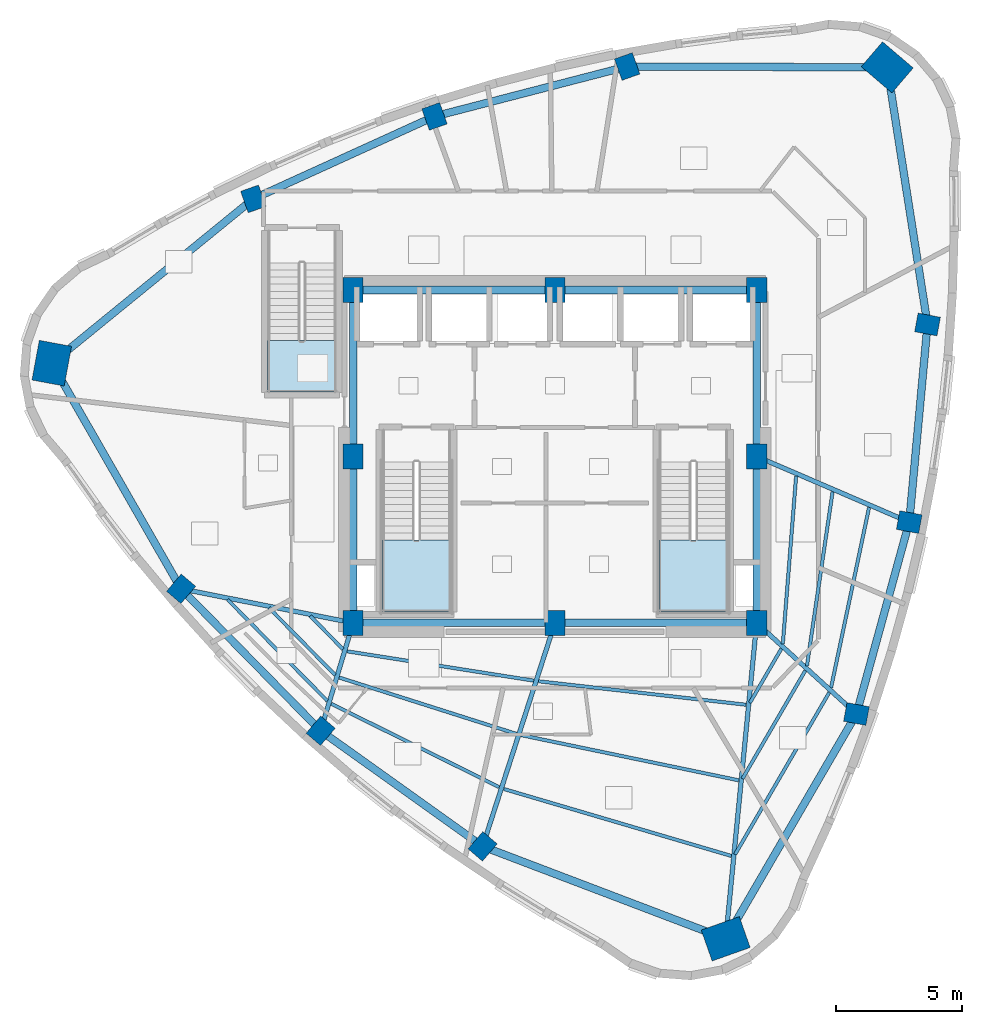
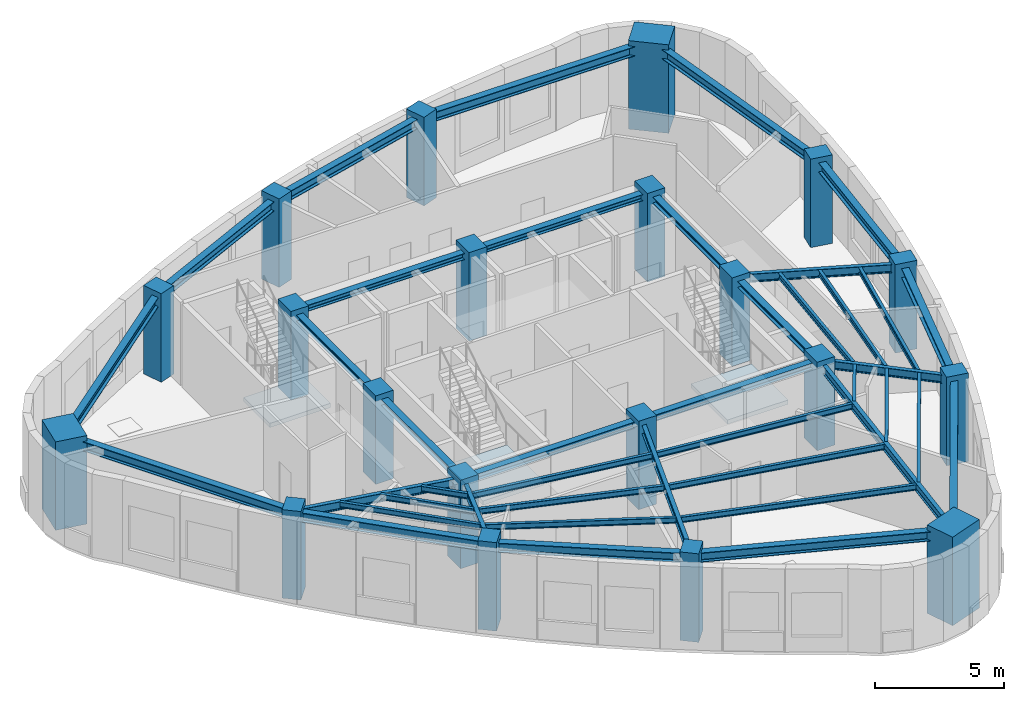
# One storey, part 1 of 9: 41 beams, 20 columns, 3 slabs, 3 elements without a shape of their own.
"""IFC4 building model written with IfcOpenShell, lengths in metres."""

from ifc_helpers import new_model, si_unit, direction, frame, origin, origin_2d, place, context, subcontext, project, spatial, polyline, rectangle, i_section, outline, extrude, material, layer, layer_set, material_profile, profile_set, type_object, element, aggregate, save


model = new_model("IFC4")

# Units and contexts
model_context = context("Model", 3, precision=1e-05, world=origin(), true_north=direction((0.0, 1.0)))
body_context = subcontext(model_context, "Body", "Model", "MODEL_VIEW")
ifc_project = project(units=[si_unit("LENGTHUNIT", "METRE"), si_unit("AREAUNIT", "SQUARE_METRE"), si_unit("VOLUMEUNIT", "CUBIC_METRE"), si_unit("PLANEANGLEUNIT", "RADIAN"), si_unit("MASSUNIT", "GRAM", prefix="KILO")], contexts=[model_context])

# Site, building, storey
site_placement = place(None, origin())
site = spatial("IfcSite", under=ifc_project, at=site_placement, CompositionType="ELEMENT")
building_placement = place(site_placement, origin())
building = spatial("IfcBuilding", under=site, at=building_placement, Name="Ndelora Gate Hotel", CompositionType="ELEMENT")
storey_placement = place(building_placement, frame((0.0, 0.0, 260.199951171875)))
storey = spatial("IfcBuildingStorey", under=building, at=storey_placement, Name="L65", CompositionType="ELEMENT", Elevation=260.199951171875)

# Columns
ifc_material_1 = material(Name="Concrete C50/60", Category="concrete")
ifc_material_profile_1 = material_profile(ifc_material_1, rectangle(XDim=0.800048828125, YDim=1.0, at=origin_2d()), Name="RC 1000x800")
ifc_profile_set_1 = profile_set([ifc_material_profile_1], Name="Concrete C50/60")
column_type_1 = type_object("IfcColumnType", Name="COL-CC-HI", PredefinedType="COLUMN", material=ifc_profile_set_1)
for number, where, z_axis, x_axis, name in (
    (1, (-8.0, -6.60009765625, 0.0), (0.0, 0.0, 1.0), (1.0, 0.0, 0.0), "L65 Core Column CC1"),
    (2, (0.0, -6.60009765625, 0.0), (0.0, 0.0, 1.0), (1.0, 0.0, 0.0), "L65 Core Column CC2"),
    (3, (8.0, -6.60009765625, 0.0), (0.0, 0.0, 1.0), (1.0, 0.0, 0.0), "L65 Core Column CC3"),
    (4, (8.0, 0.0, 0.0), (0.0, 0.0, 1.0), (1.0, 0.0, 0.0), "L65 Core Column CC4"),
    (5, (8.0, 6.60009765625, 0.0), (0.0, 0.0, 1.0), (1.0, 0.0, 0.0), "L65 Core Column CC5"),
    (6, (0.0, 6.60009765625, 0.0), (0.0, 0.0, 1.0), (1.0, 0.0, 0.0), "L65 Core Column CC6"),
    (7, (-8.0, 6.60009765625, 0.0), (0.0, 0.0, 1.0), (1.0, 0.0, 0.0), "L65 Core Column CC7"),
    (8, (-8.0, 0.0, 0.0), (0.0, 0.0, 1.0), (1.0, 0.0, 0.0), "L65 Core Column CC8"),
):
    element("IfcColumn", number, at=place(storey_placement, frame(where, z_axis=z_axis, x_axis=x_axis)), inside=storey, type_object=column_type_1, Name=name, PredefinedType="COLUMN", context=body_context, shape_type="SweptSolid", body=[
        extrude(rectangle(XDim=0.800048828125, YDim=1.0, at=origin_2d()), origin(), (0.0, 0.0, 1.0), 4.199951171875),
    ])
ifc_material_profile_2 = material_profile(ifc_material_1, rectangle(XDim=1.300048828125, YDim=1.60009765625, at=origin_2d()), Name="RC 1600x1300")
ifc_profile_set_2 = profile_set([ifc_material_profile_2], Name="Concrete C50/60")
column_type_2 = type_object("IfcColumnType", Name="COL-MC-Z4", PredefinedType="COLUMN", material=ifc_profile_set_2)
for number, where, z_axis, x_axis, name in (
    (9, (-19.949951171875, 3.697509765625, 0.0), (0.0, 0.0, 1.0), (-0.983254907564, 0.182235525492, 0.0), "L65 Corner Mega-Column R1"),
    (10, (6.772705078125, -19.1259765625, 0.0), (0.0, 0.0, 1.0), (-0.333806859234, 0.942641491092, 0.0), "L65 Corner Mega-Column R5"),
    (11, (13.177001953125, 15.428466796875, 0.0), (0.0, 0.0, 1.0), (0.64944804833, 0.7604059656, 0.0), "L65 Corner Mega-Column R9"),
):
    element("IfcColumn", number, at=place(storey_placement, frame(where, z_axis=z_axis, x_axis=x_axis)), inside=storey, type_object=column_type_2, Name=name, PredefinedType="COLUMN", context=body_context, shape_type="SweptSolid", body=[
        extrude(rectangle(XDim=1.300048828125, YDim=1.60009765625, at=origin_2d()), origin(), (0.0, 0.0, 1.0), 4.199951171875),
    ])
ifc_material_profile_3 = material_profile(ifc_material_1, rectangle(XDim=0.75, YDim=0.89990234375, at=origin_2d()), Name="RC 900x750")
ifc_profile_set_3 = profile_set([ifc_material_profile_3], Name="Concrete C50/60")
column_type_3 = type_object("IfcColumnType", Name="COL-PT-Z4", PredefinedType="COLUMN", material=ifc_profile_set_3)
for number, where, z_axis, x_axis, name in (
    (12, (-14.822509765625, -5.248779296875, 0.0), (0.0, 0.0, 1.0), (-0.7604059656, 0.64944804833, 0.0), "L65 Perimeter Tube Column R2"),
    (13, (-9.2890625, -10.876220703125, 0.0), (0.0, 0.0, 1.0), (-0.7604059656, 0.64944804833, 0.0), "L65 Perimeter Tube Column R3"),
    (14, (-2.865478515625, -15.461181640625, 0.0), (0.0, 0.0, 1.0), (-0.7604059656, 0.64944804833, 0.0), "L65 Perimeter Tube Column R4"),
    (15, (11.956787109375, -10.212158203125, 0.0), (0.0, 0.0, 1.0), (0.182235525492, 0.983254907564, 0.0), "L65 Perimeter Tube Column R6"),
    (16, (14.0498046875, -2.60400390625, 0.0), (0.0, 0.0, 1.0), (0.182235525492, 0.983254907564, 0.0), "L65 Perimeter Tube Column R7"),
    (17, (14.77490234375, 5.232177734375, 0.0), (0.0, 0.0, 1.0), (0.182235525492, 0.983254907564, 0.0), "L65 Perimeter Tube Column R8"),
    (18, (2.865478515625, 15.461181640625, 0.0), (0.0, 0.0, 1.0), (0.942641491092, 0.333806859234, 0.0), "L65 Perimeter Tube Column R10"),
    (19, (-4.7744140625, 13.482666015625, 0.0), (0.0, 0.0, 1.0), (0.942641491092, 0.333806859234, 0.0), "L65 Perimeter Tube Column R11"),
    (20, (-11.956787109375, 10.212158203125, 0.0), (0.0, 0.0, 1.0), (0.942641491092, 0.333806859234, 0.0), "L65 Perimeter Tube Column R12"),
):
    element("IfcColumn", number, at=place(storey_placement, frame(where, z_axis=z_axis, x_axis=x_axis)), inside=storey, type_object=column_type_3, Name=name, PredefinedType="COLUMN", context=body_context, shape_type="SweptSolid", body=[
        extrude(rectangle(XDim=0.75, YDim=0.89990234375, at=origin_2d()), origin(), (0.0, 0.0, 1.0), 4.199951171875),
    ])

# Beams
ifc_material_2 = material(Name="Steel S355", Category="steel")
ifc_material_profile_4 = material_profile(ifc_material_2, i_section(OverallWidth=0.300048828125, OverallDepth=0.300048828125, WebThickness=0.010986328125, FlangeThickness=0.01904296875, FilletRadius=0.027099609375, at=origin_2d()), Name="HEB 300")
ifc_profile_set_4 = profile_set([ifc_material_profile_4], Name="Steel S355")
beam_type_1 = type_object("IfcBeamType", Name="BM-CORE-300", PredefinedType="BEAM", material=ifc_profile_set_4)
for number, where, z_axis, x_axis, name in (
    (21, (-8.0, 6.60009765625, 3.800048828125), (1.0, 0.0, 0.0), (0.0, 1.0, 0.0), "L65 Core Tie Girder CC7-CC6"),
    (22, (0.0, 6.60009765625, 3.800048828125), (1.0, 0.0, 0.0), (0.0, 1.0, 0.0), "L65 Core Tie Girder CC6-CC5"),
):
    element("IfcBeam", number, at=place(storey_placement, frame(where, z_axis=z_axis, x_axis=x_axis)), inside=storey, type_object=beam_type_1, Name=name, PredefinedType="BEAM", context=body_context, shape_type="SweptSolid", body=[
        extrude(i_section(OverallWidth=0.300048828125, OverallDepth=0.300048828125, WebThickness=0.010986328125, FlangeThickness=0.01904296875, FilletRadius=0.027099609375, at=origin_2d()), origin(), (0.0, 0.0, 1.0), 8.0),
    ])
for number, where, z_axis, x_axis, name in (
    (23, (-8.0, -6.60009765625, 3.800048828125), (0.0, 1.0, 0.0), (-1.0, 0.0, 0.0), "L65 Core Tie Girder CC1-CC8"),
    (24, (-8.0, 0.0, 3.800048828125), (0.0, 1.0, 0.0), (-1.0, 0.0, 0.0), "L65 Core Tie Girder CC8-CC7"),
    (25, (8.0, -6.60009765625, 3.800048828125), (0.0, 1.0, 0.0), (-1.0, 0.0, 0.0), "L65 Core Tie Girder CC3-CC4"),
    (26, (8.0, 0.0, 3.800048828125), (0.0, 1.0, 0.0), (-1.0, 0.0, 0.0), "L65 Core Tie Girder CC4-CC5"),
):
    element("IfcBeam", number, at=place(storey_placement, frame(where, z_axis=z_axis, x_axis=x_axis)), inside=storey, type_object=beam_type_1, Name=name, PredefinedType="BEAM", context=body_context, shape_type="SweptSolid", body=[
        extrude(i_section(OverallWidth=0.300048828125, OverallDepth=0.300048828125, WebThickness=0.010986328125, FlangeThickness=0.01904296875, FilletRadius=0.027099609375, at=origin_2d()), origin(), (0.0, 0.0, 1.0), 6.60009765625),
    ])
for number, where, z_axis, x_axis, name in (
    (27, (-8.0, -6.60009765625, 3.800048828125), (1.0, 0.0, 0.0), (0.0, 1.0, 0.0), "L65 Core Tie Girder CC1-CC2"),
    (28, (0.0, -6.60009765625, 3.800048828125), (1.0, 0.0, 0.0), (0.0, 1.0, 0.0), "L65 Core Tie Girder CC2-CC3"),
):
    element("IfcBeam", number, at=place(storey_placement, frame(where, z_axis=z_axis, x_axis=x_axis)), inside=storey, type_object=beam_type_1, Name=name, PredefinedType="BEAM", context=body_context, shape_type="SweptSolid", body=[
        extrude(i_section(OverallWidth=0.300048828125, OverallDepth=0.300048828125, WebThickness=0.010986328125, FlangeThickness=0.01904296875, FilletRadius=0.027099609375, at=origin_2d()), origin(), (0.0, 0.0, 1.0), 8.0),
    ])
ifc_material_profile_5 = material_profile(ifc_material_2, i_section(OverallWidth=0.135009765625, OverallDepth=0.27001953125, WebThickness=0.006591796875, FlangeThickness=0.01025390625, FilletRadius=0.014892578125, at=origin_2d()), Name="IPE 270")
ifc_profile_set_5 = profile_set([ifc_material_profile_5], Name="Steel S355")
beam_type_2 = type_object("IfcBeamType", Name="BM-JST-270", PredefinedType="JOIST", material=ifc_profile_set_5)
beam_1_placement = place(storey_placement, frame((-9.70361328125, -6.320068359375, 3.81494140625), z_axis=(0.701148889104, -0.713014891365, 0.0), x_axis=(0.713014891365, 0.701148889104, 0.0)))
element("IfcBeam", 29, at=beam_1_placement, inside=storey, type_object=beam_type_2, Name="L65 Secondary Composite Floor Joist IN-2", PredefinedType="JOIST", context=body_context, shape_type="SweptSolid", body=[
    extrude(i_section(OverallWidth=0.135009765625, OverallDepth=0.27001953125, WebThickness=0.006591796875, FlangeThickness=0.01025390625, FilletRadius=0.014892578125, at=origin_2d()), origin(), (0.0, 0.0, 1.0), 1.851806640625),
])
beam_2_placement = place(storey_placement, frame((-11.341064453125, -5.995849609375, 3.81494140625), z_axis=(0.701150996754, -0.713012818785, 0.0), x_axis=(0.713012818785, 0.701150996754, 0.0)))
element("IfcBeam", 30, at=beam_2_placement, inside=storey, type_object=beam_type_2, Name="L65 Secondary Composite Floor Joist MID-2", PredefinedType="JOIST", context=body_context, shape_type="SweptSolid", body=[
    extrude(i_section(OverallWidth=0.135009765625, OverallDepth=0.27001953125, WebThickness=0.006591796875, FlangeThickness=0.01025390625, FilletRadius=0.014892578125, at=origin_2d()), origin(), (0.0, 0.0, 1.0), 3.745849609375),
])
beam_3_placement = place(storey_placement, frame((-12.978515625, -5.67138671875, 3.81494140625), z_axis=(0.701130048955, -0.713033417486, 0.0), x_axis=(0.713033417486, 0.701130048955, 0.0)))
element("IfcBeam", 31, at=beam_3_placement, inside=storey, type_object=beam_type_2, Name="L65 Secondary Composite Floor Joist OUT-2", PredefinedType="JOIST", context=body_context, shape_type="SweptSolid", body=[
    extrude(i_section(OverallWidth=0.135009765625, OverallDepth=0.27001953125, WebThickness=0.006591796875, FlangeThickness=0.01025390625, FilletRadius=0.014892578125, at=origin_2d()), origin(), (0.0, 0.0, 1.0), 5.640380859375),
])
beam_4_placement = place(storey_placement, frame((-8.236328125, -7.727294921875, 3.81494140625), z_axis=(0.987888558734, -0.155165058961, 0.0), x_axis=(0.155165058961, 0.987888558734, 0.0)))
element("IfcBeam", 32, at=beam_4_placement, inside=storey, type_object=beam_type_2, Name="L65 Secondary Composite Floor Joist IN-3", PredefinedType="JOIST", context=body_context, shape_type="SweptSolid", body=[
    extrude(i_section(OverallWidth=0.135009765625, OverallDepth=0.27001953125, WebThickness=0.006591796875, FlangeThickness=0.01025390625, FilletRadius=0.014892578125, at=origin_2d()), origin(), (0.0, 0.0, 1.0), 7.483154296875),
])
beam_5_placement = place(storey_placement, frame((-8.54931640625, -8.768310546875, 3.81494140625), z_axis=(0.95300799864, -0.302945134517, 0.0), x_axis=(0.302945134517, 0.95300799864, 0.0)))
element("IfcBeam", 33, at=beam_5_placement, inside=storey, type_object=beam_type_2, Name="L65 Secondary Composite Floor Joist MID-3", PredefinedType="JOIST", context=body_context, shape_type="SweptSolid", body=[
    extrude(i_section(OverallWidth=0.135009765625, OverallDepth=0.27001953125, WebThickness=0.006591796875, FlangeThickness=0.01025390625, FilletRadius=0.014892578125, at=origin_2d()), origin(), (0.0, 0.0, 1.0), 7.367431640625),
])
beam_6_placement = place(storey_placement, frame((-8.864501953125, -9.808837890625, 3.81494140625), z_axis=(0.895678939113, -0.444701290788, 0.0), x_axis=(0.444701290788, 0.895678939113, 0.0)))
element("IfcBeam", 34, at=beam_6_placement, inside=storey, type_object=beam_type_2, Name="L65 Secondary Composite Floor Joist OUT-3", PredefinedType="JOIST", context=body_context, shape_type="SweptSolid", body=[
    extrude(i_section(OverallWidth=0.135009765625, OverallDepth=0.27001953125, WebThickness=0.006591796875, FlangeThickness=0.01025390625, FilletRadius=0.014892578125, at=origin_2d()), origin(), (0.0, 0.0, 1.0), 7.4296875),
])
beam_7_placement = place(storey_placement, frame((-0.645751953125, -8.9150390625, 3.81494140625), z_axis=(0.993666082795, -0.112373110227, 0.0), x_axis=(0.112373110227, 0.993666082795, 0.0)))
element("IfcBeam", 35, at=beam_7_placement, inside=storey, type_object=beam_type_2, Name="L65 Secondary Composite Floor Joist IN-4", PredefinedType="JOIST", context=body_context, shape_type="SweptSolid", body=[
    extrude(i_section(OverallWidth=0.135009765625, OverallDepth=0.27001953125, WebThickness=0.006591796875, FlangeThickness=0.01025390625, FilletRadius=0.014892578125, at=origin_2d()), origin(), (0.0, 0.0, 1.0), 8.27978515625),
])
beam_8_placement = place(storey_placement, frame((-1.334716796875, -11.05078125, 3.81494140625), z_axis=(0.979088439748, -0.203435068637, 0.0), x_axis=(0.203435068637, 0.979088439748, 0.0)))
element("IfcBeam", 36, at=beam_8_placement, inside=storey, type_object=beam_type_2, Name="L65 Secondary Composite Floor Joist MID-4", PredefinedType="JOIST", context=body_context, shape_type="SweptSolid", body=[
    extrude(i_section(OverallWidth=0.135009765625, OverallDepth=0.27001953125, WebThickness=0.006591796875, FlangeThickness=0.01025390625, FilletRadius=0.014892578125, at=origin_2d()), origin(), (0.0, 0.0, 1.0), 8.807373046875),
])
beam_9_placement = place(storey_placement, frame((-2.0244140625, -13.185546875, 3.81494140625), z_axis=(0.959300565601, -0.282387012517, 0.0), x_axis=(0.282387012517, 0.959300565601, 0.0)))
element("IfcBeam", 37, at=beam_9_placement, inside=storey, type_object=beam_type_2, Name="L65 Secondary Composite Floor Joist OUT-4", PredefinedType="JOIST", context=body_context, shape_type="SweptSolid", body=[
    extrude(i_section(OverallWidth=0.135009765625, OverallDepth=0.27001953125, WebThickness=0.006591796875, FlangeThickness=0.01025390625, FilletRadius=0.014892578125, at=origin_2d()), origin(), (0.0, 0.0, 1.0), 9.403076171875),
])
beam_10_placement = place(storey_placement, frame((7.731201171875, -9.770263671875, 3.81494140625), z_axis=(0.502726490322, 0.864445530921, 0.0), x_axis=(-0.864445530921, 0.502726490322, 0.0)))
element("IfcBeam", 38, at=beam_10_placement, inside=storey, type_object=beam_type_2, Name="L65 Secondary Composite Floor Joist IN-5", PredefinedType="JOIST", context=body_context, shape_type="SweptSolid", body=[
    extrude(i_section(OverallWidth=0.135009765625, OverallDepth=0.27001953125, WebThickness=0.006591796875, FlangeThickness=0.01025390625, FilletRadius=0.014892578125, at=origin_2d()), origin(), (0.0, 0.0, 1.0), 2.481201171875),
])
beam_11_placement = place(storey_placement, frame((7.436767578125, -12.776611328125, 3.81494140625), z_axis=(0.50271891842, 0.864449934388, 0.0), x_axis=(-0.864449934388, 0.50271891842, 0.0)))
element("IfcBeam", 39, at=beam_11_placement, inside=storey, type_object=beam_type_2, Name="L65 Secondary Composite Floor Joist MID-5", PredefinedType="JOIST", context=body_context, shape_type="SweptSolid", body=[
    extrude(i_section(OverallWidth=0.135009765625, OverallDepth=0.27001953125, WebThickness=0.006591796875, FlangeThickness=0.01025390625, FilletRadius=0.014892578125, at=origin_2d()), origin(), (0.0, 0.0, 1.0), 4.9560546875),
])
beam_12_placement = place(storey_placement, frame((7.14208984375, -15.78271484375, 3.81494140625), z_axis=(0.502744947519, 0.864434796699, 0.0), x_axis=(-0.864434796699, 0.502744947519, 0.0)))
element("IfcBeam", 40, at=beam_12_placement, inside=storey, type_object=beam_type_2, Name="L65 Secondary Composite Floor Joist OUT-5", PredefinedType="JOIST", context=body_context, shape_type="SweptSolid", body=[
    extrude(i_section(OverallWidth=0.135009765625, OverallDepth=0.27001953125, WebThickness=0.006591796875, FlangeThickness=0.01025390625, FilletRadius=0.014892578125, at=origin_2d()), origin(), (0.0, 0.0, 1.0), 7.430419921875),
])
beam_13_placement = place(storey_placement, frame((9.03662109375, -7.439453125, 3.81494140625), z_axis=(0.079081730742, 0.996868135644, 0.0), x_axis=(-0.996868135644, 0.079081730742, 0.0)))
element("IfcBeam", 41, at=beam_13_placement, inside=storey, type_object=beam_type_2, Name="L65 Secondary Composite Floor Joist IN-6", PredefinedType="JOIST", context=body_context, shape_type="SweptSolid", body=[
    extrude(i_section(OverallWidth=0.135009765625, OverallDepth=0.27001953125, WebThickness=0.006591796875, FlangeThickness=0.01025390625, FilletRadius=0.014892578125, at=origin_2d()), origin(), (0.0, 0.0, 1.0), 6.683837890625),
])
beam_14_placement = place(storey_placement, frame((9.992919921875, -8.30712890625, 3.81494140625), z_axis=(0.145767847032, 0.989318823621, 0.0), x_axis=(-0.989318823621, 0.145767847032, 0.0)))
element("IfcBeam", 42, at=beam_14_placement, inside=storey, type_object=beam_type_2, Name="L65 Secondary Composite Floor Joist MID-6", PredefinedType="JOIST", context=body_context, shape_type="SweptSolid", body=[
    extrude(i_section(OverallWidth=0.135009765625, OverallDepth=0.27001953125, WebThickness=0.006591796875, FlangeThickness=0.01025390625, FilletRadius=0.014892578125, at=origin_2d()), origin(), (0.0, 0.0, 1.0), 6.980712890625),
])
beam_15_placement = place(storey_placement, frame((10.94873046875, -9.17529296875, 3.81494140625), z_axis=(0.206301761085, 0.978488417598, 0.0), x_axis=(-0.978488417598, 0.206301761085, 0.0)))
element("IfcBeam", 43, at=beam_15_placement, inside=storey, type_object=beam_type_2, Name="L65 Secondary Composite Floor Joist OUT-6", PredefinedType="JOIST", context=body_context, shape_type="SweptSolid", body=[
    extrude(i_section(OverallWidth=0.135009765625, OverallDepth=0.27001953125, WebThickness=0.006591796875, FlangeThickness=0.01025390625, FilletRadius=0.014892578125, at=origin_2d()), origin(), (0.0, 0.0, 1.0), 7.3076171875),
])
ifc_material_profile_6 = material_profile(ifc_material_2, i_section(OverallWidth=0.179931640625, OverallDepth=0.39990234375, WebThickness=0.008544921875, FlangeThickness=0.013427734375, FilletRadius=0.02099609375, at=origin_2d()), Name="IPE 400")
ifc_profile_set_6 = profile_set([ifc_material_profile_6], Name="Steel S355")
beam_type_3 = type_object("IfcBeamType", Name="BM-RAD-400", PredefinedType="BEAM", material=ifc_profile_set_6)
beam_16_placement = place(storey_placement, frame((-8.0, -6.60009765625, 3.75), z_axis=(-0.980943509294, 0.194293158846, 0.0), x_axis=(-0.194293158846, -0.980943509294, 0.0)))
element("IfcBeam", 44, at=beam_16_placement, inside=storey, type_object=beam_type_3, Name="L65 Radial Floor Girder 2", PredefinedType="BEAM", context=body_context, shape_type="SweptSolid", body=[
    extrude(i_section(OverallWidth=0.179931640625, OverallDepth=0.39990234375, WebThickness=0.008544921875, FlangeThickness=0.013427734375, FilletRadius=0.02099609375, at=origin_2d()), origin(), (0.0, 0.0, 1.0), 6.955078125),
])
beam_17_placement = place(storey_placement, frame((-8.0, -6.60009765625, 3.75), z_axis=(-0.288626468578, -0.957441779763, 0.0), x_axis=(0.957441779763, -0.288626468578, 0.0)))
element("IfcBeam", 45, at=beam_17_placement, inside=storey, type_object=beam_type_3, Name="L65 Radial Floor Girder 3", PredefinedType="BEAM", context=body_context, shape_type="SweptSolid", body=[
    extrude(i_section(OverallWidth=0.179931640625, OverallDepth=0.39990234375, WebThickness=0.008544921875, FlangeThickness=0.013427734375, FilletRadius=0.02099609375, at=origin_2d()), origin(), (0.0, 0.0, 1.0), 4.46630859375),
])
beam_18_placement = place(storey_placement, frame((0.0, -6.60009765625, 3.75), z_axis=(-0.307689759964, -0.951486737487, 0.0), x_axis=(0.951486737487, -0.307689759964, 0.0)))
element("IfcBeam", 46, at=beam_18_placement, inside=storey, type_object=beam_type_3, Name="L65 Radial Floor Girder 4", PredefinedType="BEAM", context=body_context, shape_type="SweptSolid", body=[
    extrude(i_section(OverallWidth=0.179931640625, OverallDepth=0.39990234375, WebThickness=0.008544921875, FlangeThickness=0.013427734375, FilletRadius=0.02099609375, at=origin_2d()), origin(), (0.0, 0.0, 1.0), 9.31298828125),
])
beam_19_placement = place(storey_placement, frame((8.0, -6.60009765625, 3.75), z_axis=(-0.097513783863, -0.995234174432, 0.0), x_axis=(0.995234174432, -0.097513783863, 0.0)))
element("IfcBeam", 47, at=beam_19_placement, inside=storey, type_object=beam_type_3, Name="L65 Radial Floor Girder 5", PredefinedType="BEAM", context=body_context, shape_type="SweptSolid", body=[
    extrude(i_section(OverallWidth=0.179931640625, OverallDepth=0.39990234375, WebThickness=0.008544921875, FlangeThickness=0.013427734375, FilletRadius=0.02099609375, at=origin_2d()), origin(), (0.0, 0.0, 1.0), 12.5859375),
])
beam_20_placement = place(storey_placement, frame((8.0, -6.60009765625, 3.75), z_axis=(0.73854665752, -0.674202369223, 0.0), x_axis=(0.674202369223, 0.73854665752, 0.0)))
element("IfcBeam", 48, at=beam_20_placement, inside=storey, type_object=beam_type_3, Name="L65 Radial Floor Girder 6", PredefinedType="BEAM", context=body_context, shape_type="SweptSolid", body=[
    extrude(i_section(OverallWidth=0.179931640625, OverallDepth=0.39990234375, WebThickness=0.008544921875, FlangeThickness=0.013427734375, FilletRadius=0.02099609375, at=origin_2d()), origin(), (0.0, 0.0, 1.0), 5.357421875),
])
beam_21_placement = place(storey_placement, frame((8.0, 0.0, 3.75), z_axis=(0.918526539717, -0.395359324964, 0.0), x_axis=(0.395359324964, 0.918526539717, 0.0)))
element("IfcBeam", 49, at=beam_21_placement, inside=storey, type_object=beam_type_3, Name="L65 Radial Floor Girder 7", PredefinedType="BEAM", context=body_context, shape_type="SweptSolid", body=[
    extrude(i_section(OverallWidth=0.179931640625, OverallDepth=0.39990234375, WebThickness=0.008544921875, FlangeThickness=0.013427734375, FilletRadius=0.02099609375, at=origin_2d()), origin(), (0.0, 0.0, 1.0), 6.58642578125),
])
ifc_material_profile_7 = material_profile(ifc_material_2, i_section(OverallWidth=0.300048828125, OverallDepth=0.449951171875, WebThickness=0.013916015625, FlangeThickness=0.02587890625, FilletRadius=0.027099609375, at=origin_2d()), Name="HEB 450")
ifc_profile_set_7 = profile_set([ifc_material_profile_7], Name="Steel S355")
beam_type_4 = type_object("IfcBeamType", Name="BM-RING-450", PredefinedType="SPANDREL", material=ifc_profile_set_7)
beam_22_placement = place(storey_placement, frame((-19.949951171875, 3.697509765625, 3.72509765625), z_axis=(0.497255333538, -0.867604249222, 0.0), x_axis=(0.867604249222, 0.497255333538, 0.0)))
element("IfcBeam", 50, at=beam_22_placement, inside=storey, type_object=beam_type_4, Name="L65 Perimeter Spandrel Girder 1", PredefinedType="SPANDREL", context=body_context, shape_type="SweptSolid", body=[
    extrude(i_section(OverallWidth=0.300048828125, OverallDepth=0.449951171875, WebThickness=0.013916015625, FlangeThickness=0.02587890625, FilletRadius=0.027099609375, at=origin_2d()), origin(), (0.0, 0.0, 1.0), 10.3115234375),
])
beam_23_placement = place(storey_placement, frame((-14.822509765625, -5.248779296875, 3.72509765625), z_axis=(0.701126845775, -0.713036567179, 0.0), x_axis=(0.713036567179, 0.701126845775, 0.0)))
element("IfcBeam", 51, at=beam_23_placement, inside=storey, type_object=beam_type_4, Name="L65 Perimeter Spandrel Girder 2", PredefinedType="SPANDREL", context=body_context, shape_type="SweptSolid", body=[
    extrude(i_section(OverallWidth=0.300048828125, OverallDepth=0.449951171875, WebThickness=0.013916015625, FlangeThickness=0.02587890625, FilletRadius=0.027099609375, at=origin_2d()), origin(), (0.0, 0.0, 1.0), 7.892333984375),
])
beam_24_placement = place(storey_placement, frame((-9.2890625, -10.876220703125, 3.72509765625), z_axis=(0.813931993272, -0.580960162428, 0.0), x_axis=(0.580960162428, 0.813931993272, 0.0)))
element("IfcBeam", 52, at=beam_24_placement, inside=storey, type_object=beam_type_4, Name="L65 Perimeter Spandrel Girder 3", PredefinedType="SPANDREL", context=body_context, shape_type="SweptSolid", body=[
    extrude(i_section(OverallWidth=0.300048828125, OverallDepth=0.449951171875, WebThickness=0.013916015625, FlangeThickness=0.02587890625, FilletRadius=0.027099609375, at=origin_2d()), origin(), (0.0, 0.0, 1.0), 7.89208984375),
])
beam_25_placement = place(storey_placement, frame((-2.865478515625, -15.461181640625, 3.72509765625), z_axis=(0.934709973152, -0.355411403997, 0.0), x_axis=(0.355411403997, 0.934709973152, 0.0)))
element("IfcBeam", 53, at=beam_25_placement, inside=storey, type_object=beam_type_4, Name="L65 Perimeter Spandrel Girder 4", PredefinedType="SPANDREL", context=body_context, shape_type="SweptSolid", body=[
    extrude(i_section(OverallWidth=0.300048828125, OverallDepth=0.449951171875, WebThickness=0.013916015625, FlangeThickness=0.02587890625, FilletRadius=0.027099609375, at=origin_2d()), origin(), (0.0, 0.0, 1.0), 10.3115234375),
])
beam_26_placement = place(storey_placement, frame((6.772705078125, -19.1259765625, 3.72509765625), z_axis=(0.502738555714, 0.864438514065, 0.0), x_axis=(-0.864438514065, 0.502738555714, 0.0)))
element("IfcBeam", 54, at=beam_26_placement, inside=storey, type_object=beam_type_4, Name="L65 Perimeter Spandrel Girder 5", PredefinedType="SPANDREL", context=body_context, shape_type="SweptSolid", body=[
    extrude(i_section(OverallWidth=0.300048828125, OverallDepth=0.449951171875, WebThickness=0.013916015625, FlangeThickness=0.02587890625, FilletRadius=0.027099609375, at=origin_2d()), origin(), (0.0, 0.0, 1.0), 10.311767578125),
])
beam_27_placement = place(storey_placement, frame((11.956787109375, -10.212158203125, 3.72509765625), z_axis=(0.265247809385, 0.964180273401, 0.0), x_axis=(-0.964180273401, 0.265247809385, 0.0)))
element("IfcBeam", 55, at=beam_27_placement, inside=storey, type_object=beam_type_4, Name="L65 Perimeter Spandrel Girder 6", PredefinedType="SPANDREL", context=body_context, shape_type="SweptSolid", body=[
    extrude(i_section(OverallWidth=0.300048828125, OverallDepth=0.449951171875, WebThickness=0.013916015625, FlangeThickness=0.02587890625, FilletRadius=0.027099609375, at=origin_2d()), origin(), (0.0, 0.0, 1.0), 7.890869140625),
])
beam_28_placement = place(storey_placement, frame((14.0498046875, -2.60400390625, 3.72509765625), z_axis=(0.092138400608, 0.995746210203, 0.0), x_axis=(-0.995746210203, 0.092138400608, 0.0)))
element("IfcBeam", 56, at=beam_28_placement, inside=storey, type_object=beam_type_4, Name="L65 Perimeter Spandrel Girder 7", PredefinedType="SPANDREL", context=body_context, shape_type="SweptSolid", body=[
    extrude(i_section(OverallWidth=0.300048828125, OverallDepth=0.449951171875, WebThickness=0.013916015625, FlangeThickness=0.02587890625, FilletRadius=0.027099609375, at=origin_2d()), origin(), (0.0, 0.0, 1.0), 7.86962890625),
])
beam_29_placement = place(storey_placement, frame((14.77490234375, 5.232177734375, 3.72509765625), z_axis=(-0.154824264006, 0.987942026272, 0.0), x_axis=(-0.987942026272, -0.154824264006, 0.0)))
element("IfcBeam", 57, at=beam_29_placement, inside=storey, type_object=beam_type_4, Name="L65 Perimeter Spandrel Girder 8", PredefinedType="SPANDREL", context=body_context, shape_type="SweptSolid", body=[
    extrude(i_section(OverallWidth=0.300048828125, OverallDepth=0.449951171875, WebThickness=0.013916015625, FlangeThickness=0.02587890625, FilletRadius=0.027099609375, at=origin_2d()), origin(), (0.0, 0.0, 1.0), 10.32080078125),
])
beam_30_placement = place(storey_placement, frame((13.177001953125, 15.428466796875, 3.72509765625), z_axis=(-0.999994967187, 0.003172632958, 0.0), x_axis=(-0.003172632958, -0.999994967187, 0.0)))
element("IfcBeam", 58, at=beam_30_placement, inside=storey, type_object=beam_type_4, Name="L65 Perimeter Spandrel Girder 9", PredefinedType="SPANDREL", context=body_context, shape_type="SweptSolid", body=[
    extrude(i_section(OverallWidth=0.300048828125, OverallDepth=0.449951171875, WebThickness=0.013916015625, FlangeThickness=0.02587890625, FilletRadius=0.027099609375, at=origin_2d()), origin(), (0.0, 0.0, 1.0), 10.3115234375),
])
for number, where, z_axis, x_axis, name in (
    (59, (2.865478515625, 15.461181640625, 3.72509765625), (-0.968064499617, -0.250701265615, 0.0), (0.250701265615, -0.968064499617, 0.0), "L65 Perimeter Spandrel Girder 10"),
    (60, (-4.7744140625, 13.482666015625, 3.72509765625), (-0.910089762217, -0.414411178309, 0.0), (0.414411178309, -0.910089762217, 0.0), "L65 Perimeter Spandrel Girder 11"),
):
    element("IfcBeam", number, at=place(storey_placement, frame(where, z_axis=z_axis, x_axis=x_axis)), inside=storey, type_object=beam_type_4, Name=name, PredefinedType="SPANDREL", context=body_context, shape_type="SweptSolid", body=[
        extrude(i_section(OverallWidth=0.300048828125, OverallDepth=0.449951171875, WebThickness=0.013916015625, FlangeThickness=0.02587890625, FilletRadius=0.027099609375, at=origin_2d()), origin(), (0.0, 0.0, 1.0), 7.891845703125),
    ])
beam_31_placement = place(storey_placement, frame((-11.956787109375, 10.212158203125, 3.72509765625), z_axis=(-0.775154250258, -0.631772022416, 0.0), x_axis=(0.631772022416, -0.775154250258, 0.0)))
element("IfcBeam", 61, at=beam_31_placement, inside=storey, type_object=beam_type_4, Name="L65 Perimeter Spandrel Girder 12", PredefinedType="SPANDREL", context=body_context, shape_type="SweptSolid", body=[
    extrude(i_section(OverallWidth=0.300048828125, OverallDepth=0.449951171875, WebThickness=0.013916015625, FlangeThickness=0.02587890625, FilletRadius=0.027099609375, at=origin_2d()), origin(), (0.0, 0.0, 1.0), 10.311767578125),
])

# Stair, slab
ifc_material_3 = material(Name="Precast concrete C40/50", Category="concrete")
stair_type = type_object("IfcStairType", Name="STR-DOG-CORE", PredefinedType="HALF_TURN_STAIR", material=ifc_material_3)
stair_1_placement = place(storey_placement, origin())
stair_1 = element("IfcStair", 62, at=stair_1_placement, inside=storey, type_object=stair_type, Name="L65 Protected Core Exit Stair ST4", PredefinedType="HALF_TURN_STAIR")
ifc_layer = layer(ifc_material_3, 0.219970703125)
ifc_layer_set = layer_set([ifc_layer], Name="Precast concrete C40/50")
slab_type = type_object("IfcSlabType", Name="SL-LAND-220", PredefinedType="LANDING", material=ifc_layer_set)
slab_1_placement = place(storey_placement, frame((0.0, 0.0, 1.900146484375)))
slab_1 = element("IfcSlab", 63, at=slab_1_placement, type_object=slab_type, Name="ST4 landing 1", PredefinedType="LANDING", context=body_context, shape_type="SweptSolid", body=[
    extrude(outline(polyline([(-6.85009765625, -3.31005859375), (-6.85009765625, -6.14990234375), (-4.1298828125, -6.14990234375), (-4.1298828125, -3.31005859375), (-6.85009765625, -3.31005859375)])), origin(), (0.0, 0.0, 1.0), 0.199951171875),
])
aggregate(stair_1, [slab_1])

stair_2_placement = place(storey_placement, origin())
stair_2 = element("IfcStair", 64, at=stair_2_placement, inside=storey, type_object=stair_type, Name="L65 Protected Core Exit Stair ST5", PredefinedType="HALF_TURN_STAIR")
slab_2_placement = place(storey_placement, frame((0.0, 0.0, 1.900146484375)))
slab_2 = element("IfcSlab", 65, at=slab_2_placement, type_object=slab_type, Name="ST5 landing 1", PredefinedType="LANDING", context=body_context, shape_type="SweptSolid", body=[
    extrude(outline(polyline([(4.1298828125, -3.31005859375), (4.1298828125, -6.14990234375), (6.85009765625, -6.14990234375), (6.85009765625, -3.31005859375), (4.1298828125, -3.31005859375)])), origin(), (0.0, 0.0, 1.0), 0.199951171875),
])
aggregate(stair_2, [slab_2])

stair_3_placement = place(storey_placement, origin())
stair_3 = element("IfcStair", 66, at=stair_3_placement, inside=storey, type_object=stair_type, Name="L65 Crown Observation Exit Stair ST6", PredefinedType="HALF_TURN_STAIR")
slab_3_placement = place(storey_placement, frame((0.0, 0.0, 1.900146484375)))
slab_3 = element("IfcSlab", 67, at=slab_3_placement, type_object=slab_type, Name="ST6 landing 1", PredefinedType="LANDING", context=body_context, shape_type="SweptSolid", body=[
    extrude(outline(polyline([(-11.389892578125, 4.590087890625), (-11.389892578125, 2.550048828125), (-8.669921875, 2.550048828125), (-8.669921875, 4.590087890625), (-11.389892578125, 4.590087890625)])), origin(), (0.0, 0.0, 1.0), 0.199951171875),
])
aggregate(stair_3, [slab_3])

save(model, "model.ifc")
